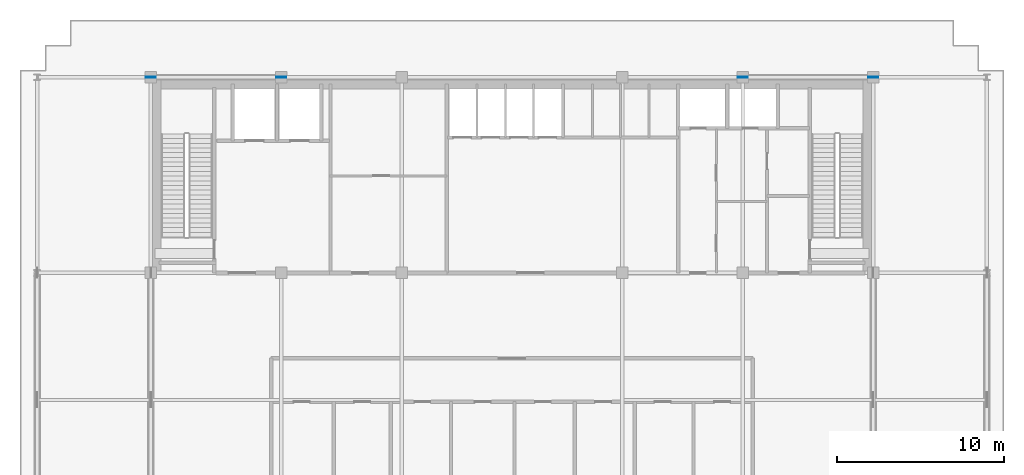
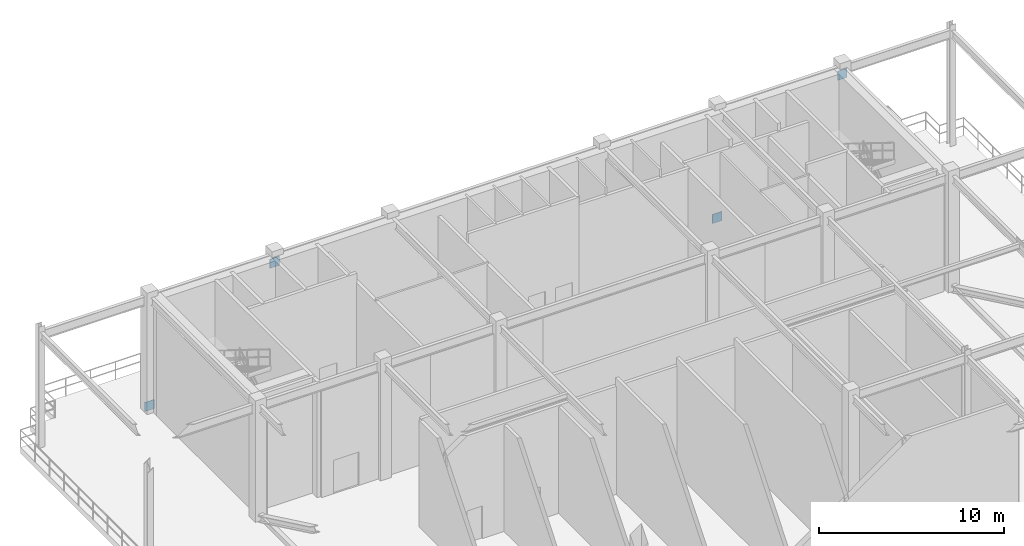
# One storey, part 8 of 14: 4 plates.
"""IFC4 building model written with IfcOpenShell, lengths in metres."""

from ifc_helpers import new_model, si_unit, direction, frame, origin, origin_2d, place, context, subcontext, project, spatial, rectangle, extrude, source, transform, mapped, material, layer, layer_set, type_object, element, save


model = new_model("IFC4")

# Units and contexts
model_context = context("Model", 3, precision=1e-05, world=origin(), true_north=direction((0.0, 1.0)))
body_context = subcontext(model_context, "Body", "Model", "MODEL_VIEW")
ifc_project = project(units=[si_unit("LENGTHUNIT", "METRE"), si_unit("AREAUNIT", "SQUARE_METRE"), si_unit("VOLUMEUNIT", "CUBIC_METRE"), si_unit("PLANEANGLEUNIT", "RADIAN"), si_unit("MASSUNIT", "GRAM", prefix="KILO")], contexts=[model_context])

# Site, building, storey
site_placement = place(None, origin())
site = spatial("IfcSite", under=ifc_project, at=site_placement, CompositionType="ELEMENT")
building_placement = place(site_placement, origin())
building = spatial("IfcBuilding", under=site, at=building_placement, Name="Trelvane Seafront Commons", CompositionType="ELEMENT")
storey_placement = place(building_placement, frame((0.0, 0.0, 182.5)))
storey = spatial("IfcBuildingStorey", under=building, at=storey_placement, Name="L48", CompositionType="ELEMENT", Elevation=182.5)

# Plates
ifc_material = material(Name="Steel SM355 (S355)", Category="steel")
ifc_layer = layer(ifc_material, 0.031982421875, Name="STR-PLT-GUS2")
ifc_layer_set = layer_set([ifc_layer], Name="Steel SM355 (S355)")
plate_type = type_object("IfcPlateType", Name="STR-PLT-GUS2", PredefinedType="SHEET", material=ifc_layer_set)
shared_shape = source(origin(), body_context, "Body", "SweptSolid", [
    extrude(rectangle(XDim=0.60009765625, YDim=0.031982421875, at=origin_2d()), origin(), (0.0, 0.0, 1.0), 0.60009765625),
])
for number, where, z_axis, x_axis, name in (
    (1, (15.60009765625, 45.10009765625, -0.02001953125), (0.0, 0.0, 1.0), (1.0, 0.0, 0.0), "L48 Brace Connection Gusset Plate GP-052"),
    (2, (23.39990234375, 45.10009765625, 6.68994140625), (0.0, 0.0, 1.0), (1.0, 0.0, 0.0), "L48 Brace Connection Gusset Plate GP-053"),
    (3, (51.0, 45.10009765625, -0.02001953125), (0.0, 0.0, 1.0), (1.0, 0.0, 0.0), "L48 Brace Connection Gusset Plate GP-056"),
    (4, (58.800048828125, 45.10009765625, 6.68994140625), (0.0, 0.0, 1.0), (1.0, 0.0, 0.0), "L48 Brace Connection Gusset Plate GP-057"),
):
    element("IfcPlate", number, at=place(storey_placement, frame(where, z_axis=z_axis, x_axis=x_axis)), inside=storey, type_object=plate_type, Name=name, PredefinedType="SHEET", context=body_context, shape_type="MappedRepresentation", body=[
        mapped(shared_shape, transform((0.0, 0.0, 0.0), x_axis=(1.0, 0.0, 0.0), y_axis=(0.0, 1.0, 0.0), z_axis=(0.0, 0.0, 1.0), scale=1.0)),
    ])

save(model, "model.ifc")
